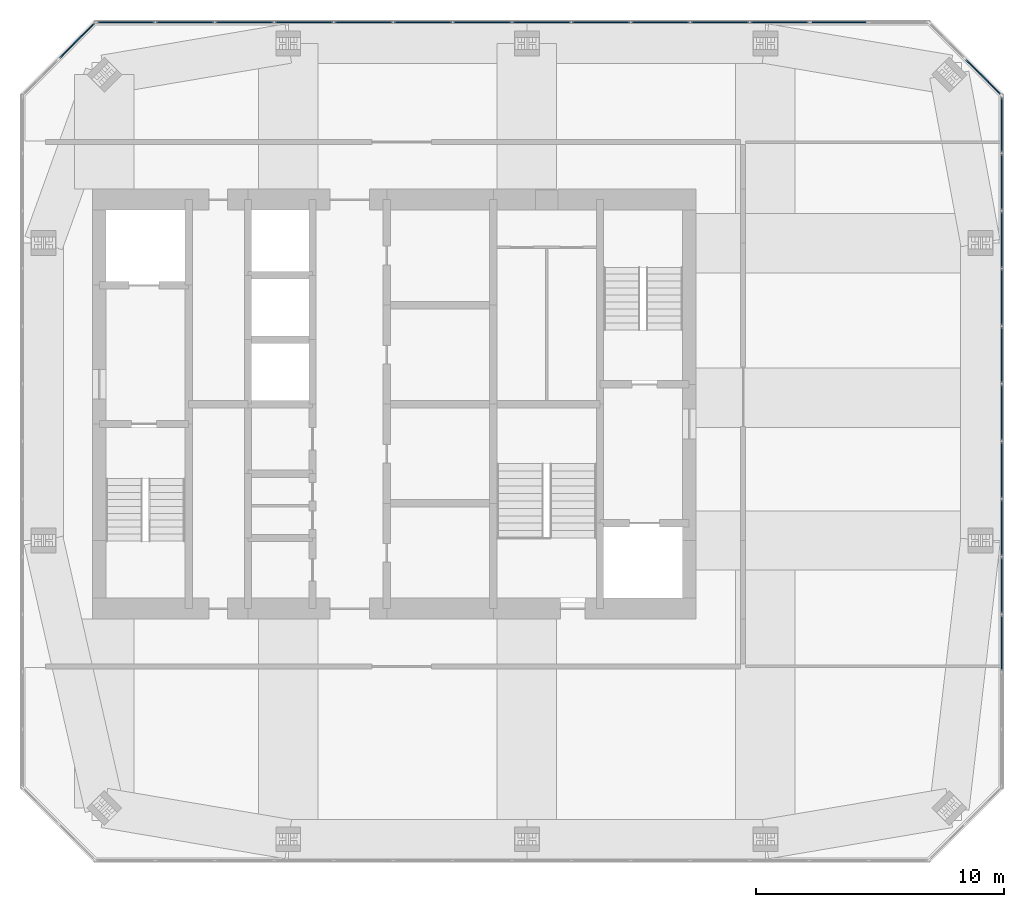
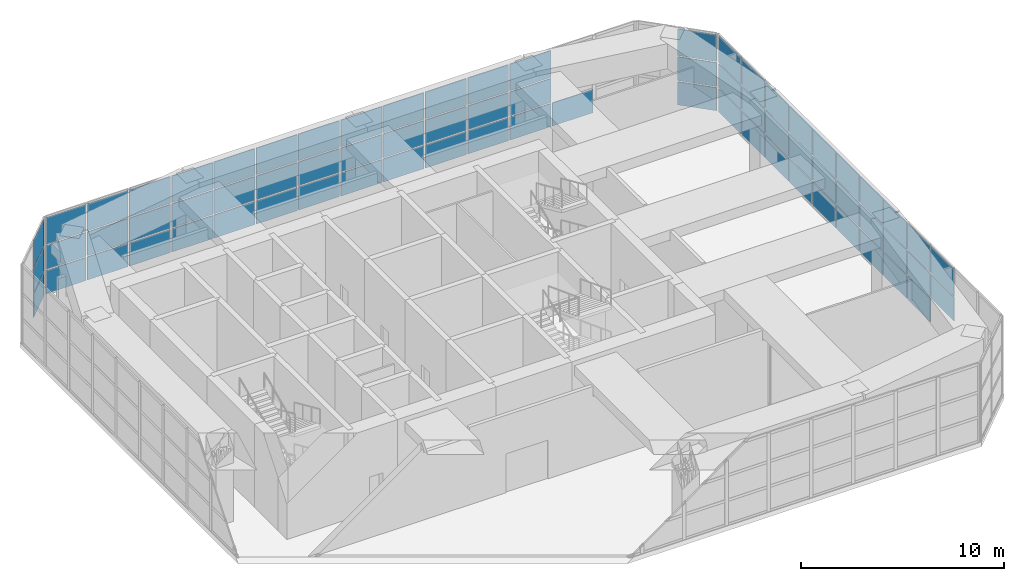
# One storey, part 10 of 14: 72 plates, 4 elements without a shape of their own.
"""IFC4 building model written with IfcOpenShell, lengths in metres."""

import ifcopenshell
import ifcopenshell.guid

model = None  # the IFC model being written
_history = None  # IfcOwnerHistory: only IFC2X3 demands one
_inside = {}  # id of a spatial element -> (the spatial element, [elements in it])
_under = {}  # id of a project, library or spatial element -> (it, [spatial elements below it])
_declared = {}  # id of a project -> (the project, [libraries it declares])
_typed = {}  # id of a type object -> (the type object, [elements of that type])
_made_of = {}  # id of a material, layer set ... -> (it, [elements and type objects made of it])


def new_model(schema):
    """Start an empty IFC model of exactly this schema.

    Asked for "IFC4X3", IfcOpenShell would pick the latest addendum, in which some entities
    have other attributes; the version numbers below select the first issue.
    IFC2X3 requires an IfcOwnerHistory on every rooted entity: one is made here for all.
    """
    global model, _history
    if schema == "IFC4X3":
        model = ifcopenshell.file(schema_version=(4, 3, 0, 0))
    else:
        model = ifcopenshell.file(schema=schema)
    _inside.clear()
    _under.clear()
    _declared.clear()
    _typed.clear()
    _made_of.clear()
    _history = None
    if model.schema == "IFC2X3":
        org = make("IfcOrganization", Name="unknown")
        user = make(
            "IfcPersonAndOrganization",
            ThePerson=make("IfcPerson", FamilyName="unknown"),
            TheOrganization=org,
        )
        app = make(
            "IfcApplication",
            ApplicationDeveloper=org,
            Version="unknown",
            ApplicationFullName="unknown",
            ApplicationIdentifier="unknown",
        )
        _history = make(
            "IfcOwnerHistory",
            OwningUser=user,
            OwningApplication=app,
            ChangeAction="ADDED",
            CreationDate=0,
        )
    return model


def make(cls, **values):
    """One entity of the class cls with the attributes given. An attribute that is None is left unset."""
    return model.create_entity(
        cls, **{name: value for name, value in values.items() if value is not None}
    )


def rooted(cls, **values):
    """An entity with a GlobalId (a new one), such as an element, a storey or a relation."""
    return make(cls, GlobalId=ifcopenshell.guid.new(), OwnerHistory=_history, **values)


def si_unit(unit_type, name, prefix=None):
    """IfcSIUnit, for example si_unit("LENGTHUNIT", "METRE", prefix="MILLI")."""
    return make("IfcSIUnit", UnitType=unit_type, Prefix=prefix, Name=name)


def assignment(units):
    """IfcUnitAssignment: the units of a project."""
    return None if units is None else make("IfcUnitAssignment", Units=units)


def point(xyz):
    """IfcCartesianPoint."""
    return None if xyz is None else make("IfcCartesianPoint", Coordinates=xyz)


def direction(xyz):
    """IfcDirection."""
    return None if xyz is None else make("IfcDirection", DirectionRatios=xyz)


def frame(location, z_axis=None, x_axis=None):
    """IfcAxis2Placement3D, a coordinate frame: its origin and axes. An axis left out is left unset."""
    return make(
        "IfcAxis2Placement3D",
        Location=point(location),
        Axis=direction(z_axis),
        RefDirection=direction(x_axis),
    )


def frame_2d(location, x_axis=None):
    """IfcAxis2Placement2D, a coordinate frame in the plane: its origin and x axis."""
    return make(
        "IfcAxis2Placement2D", Location=point(location), RefDirection=direction(x_axis)
    )


def origin():
    """The frame at (0, 0, 0) with its axes left unset."""
    return frame((0.0, 0.0, 0.0))


def origin_2d():
    """The frame at (0, 0) in the plane with its x axis left unset."""
    return frame_2d((0.0, 0.0))


def place(relative_to, where):
    """IfcLocalPlacement: puts the frame where relative to a parent placement (None: the world)."""
    return make(
        "IfcLocalPlacement", PlacementRelTo=relative_to, RelativePlacement=where
    )


def context(
    kind, dimensions, precision=None, world=None, true_north=None, identifier=None
):
    """IfcGeometricRepresentationContext, for example the 3D "Model" context."""
    return make(
        "IfcGeometricRepresentationContext",
        ContextIdentifier=identifier,
        ContextType=kind,
        CoordinateSpaceDimension=dimensions,
        Precision=precision,
        WorldCoordinateSystem=world,
        TrueNorth=true_north,
    )


def subcontext(parent, identifier, kind, view, scale=None):
    """IfcGeometricRepresentationSubContext, for example "Body" below "Model"."""
    return make(
        "IfcGeometricRepresentationSubContext",
        ContextIdentifier=identifier,
        ContextType=kind,
        ParentContext=parent,
        TargetScale=scale,
        TargetView=view,
    )


def project(units=None, contexts=None):
    """IfcProject with its units and contexts."""
    return rooted(
        "IfcProject",
        Name="project",
        RepresentationContexts=contexts,
        UnitsInContext=assignment(units),
    )


def spatial(cls, under=None, at=None, **own):
    """A site, building, storey or space (cls), placed at a placement, below another one or the project."""
    s = rooted(cls, ObjectPlacement=at, **own)
    if under is not None:
        _under.setdefault(under.id(), (under, []))[1].append(s)
    return s


def profile(cls, at=None, kind="AREA", **sizes):
    """A parametric profile (cls). Its sizes go by their IFC names, for example OverallWidth=200.0."""
    return make(cls, ProfileType=kind, Position=at, **sizes)


def rectangle(**sizes):
    """IfcRectangleProfileDef."""
    return profile("IfcRectangleProfileDef", **sizes)


def extrude(swept, where, along, depth):
    """IfcExtrudedAreaSolid: the profile swept, set in the frame where, extruded along a direction by depth."""
    return make(
        "IfcExtrudedAreaSolid",
        SweptArea=swept,
        Position=where,
        ExtrudedDirection=direction(along),
        Depth=depth,
    )


def shape(context_of_items, identifier, shape_type, items):
    """IfcShapeRepresentation: the items that make up one representation, for example the "Body"."""
    return make(
        "IfcShapeRepresentation",
        ContextOfItems=context_of_items,
        RepresentationIdentifier=identifier,
        RepresentationType=shape_type,
        Items=items,
    )


def material(Name=None, Category=None):
    """IfcMaterial."""
    return make("IfcMaterial", Name=Name, Category=Category)


def layer(
    of_material, thickness, ventilated=None, Name=None, Category=None, Priority=None
):
    """IfcMaterialLayer: one layer of a wall or slab, of a material (None: an air gap)."""
    return make(
        "IfcMaterialLayer",
        Material=of_material,
        LayerThickness=thickness,
        IsVentilated=ventilated,
        Name=Name,
        Category=Category,
        Priority=Priority,
    )


def layer_set(layers, Name=None):
    """IfcMaterialLayerSet."""
    return make("IfcMaterialLayerSet", MaterialLayers=layers, LayerSetName=Name)


def made_of(thing, what):
    """Note that an element or type object is made of a material, layer set ...; save() writes the relation."""
    if what is not None:
        _made_of.setdefault(what.id(), (what, []))[1].append(thing)
    return thing


def type_object(cls, material=None, **own):
    """A type object (cls), such as IfcWallType, which elements share."""
    return made_of(rooted(cls, **own), material)


def element(
    cls,
    number,
    at=None,
    inside=None,
    cuts=None,
    type_object=None,
    material=None,
    context=None,
    identifier="Body",
    shape_type=None,
    held_by="IfcProductDefinitionShape",
    body=None,
    shapes=None,
    **own,
):
    """One element of the class cls, such as IfcWall. Its Tag is "e" and its number.

    at: its placement. inside: the storey or other place that contains it. cuts: it is an
    opening in that element (IfcRelVoidsElement). A single representation is given by context,
    identifier, shape_type and body (its items); several are given by shapes. held_by: the class
    of the entity that holds the representations. save() writes the other relations.
    """
    e = rooted(cls, Tag="e%d" % number, ObjectPlacement=at, **own)
    if body is not None:
        shapes = [shape(context, identifier, shape_type, body)]
    if shapes is not None:
        e.Representation = make(held_by, Representations=shapes)
    if inside is not None:
        _inside.setdefault(inside.id(), (inside, []))[1].append(e)
    if cuts is not None:
        rooted(
            "IfcRelVoidsElement", RelatingBuildingElement=cuts, RelatedOpeningElement=e
        )
    if type_object is not None:
        _typed.setdefault(type_object.id(), (type_object, []))[1].append(e)
    return made_of(e, material)


def aggregate(whole, parts):
    """IfcRelAggregates: a whole, such as a stair, and the parts it consists of."""
    return rooted("IfcRelAggregates", RelatingObject=whole, RelatedObjects=parts)


def save(model, path):
    """Write the relations noted so far, then the file.

    IfcRelAggregates (storeys below a building ...), IfcRelContainedInSpatialStructure (elements
    in a storey), IfcRelDefinesByType, IfcRelAssociatesMaterial and IfcRelDeclares: one each for
    every whole, place, type object, material and project.
    """
    for whole, parts in _under.values():
        aggregate(whole, parts)
    for where, things in _inside.values():
        rooted(
            "IfcRelContainedInSpatialStructure",
            RelatedElements=things,
            RelatingStructure=where,
        )
    for kind, things in _typed.values():
        rooted("IfcRelDefinesByType", RelatedObjects=things, RelatingType=kind)
    for what, things in _made_of.values():
        rooted("IfcRelAssociatesMaterial", RelatedObjects=things, RelatingMaterial=what)
    for by, libraries in _declared.values():
        rooted("IfcRelDeclares", RelatingContext=by, RelatedDefinitions=libraries)
    model.write(path)


model = new_model("IFC4")

# Units and contexts
model_context = context("Model", 3, precision=1e-05, world=origin(), true_north=direction((0.0, 1.0)))
body_context = subcontext(model_context, "Body", "Model", "MODEL_VIEW")
ifc_project = project(units=[si_unit("LENGTHUNIT", "METRE"), si_unit("AREAUNIT", "SQUARE_METRE"), si_unit("VOLUMEUNIT", "CUBIC_METRE"), si_unit("PLANEANGLEUNIT", "RADIAN"), si_unit("MASSUNIT", "GRAM", prefix="KILO")], contexts=[model_context])

# Site, building, storey
site_placement = place(None, origin())
site = spatial("IfcSite", under=ifc_project, at=site_placement, CompositionType="ELEMENT")
building_placement = place(site_placement, origin())
building = spatial("IfcBuilding", under=site, at=building_placement, Name="Jalousie Tower", CompositionType="ELEMENT")
storey_placement = place(building_placement, frame((0.0, 0.0, 267.75)))
storey = spatial("IfcBuildingStorey", under=building, at=storey_placement, Name="L73", CompositionType="ELEMENT", Elevation=267.75)

# Curtain wall, plates
ifc_material_1 = material(Name="Aluminium curtain wall", Category="aluminium")
curtain_wall_type = type_object("IfcCurtainWallType", Name="CROWN LOUVRE WALL", PredefinedType="USERDEFINED", material=ifc_material_1)
curtain_wall_1_placement = place(storey_placement, origin())
curtain_wall_1 = element("IfcCurtainWall", 1, at=curtain_wall_1_placement, inside=storey, type_object=curtain_wall_type, Name="Crown Louvre Wall L73 3", ObjectType="CROWN LOUVRE WALL", PredefinedType="USERDEFINED")
ifc_material_2 = material(Name="Aluminium storm louvre panel", Category="aluminium")
ifc_layer = layer(ifc_material_2, 0.050048828125)
ifc_layer_set = layer_set([ifc_layer], Name="Aluminium storm louvre panel")
plate_type = type_object("IfcPlateType", Name="CROWN LOUVRE WALL PANEL", PredefinedType="CURTAIN_PANEL", material=ifc_layer_set)
plate_1_placement = place(storey_placement, frame((56.41259765625, 8.86328125, 1.5400390625), z_axis=(0.0, 0.0, 1.0), x_axis=(0.0, 1.0, 0.0)))
plate_1 = element("IfcPlate", 2, at=plate_1_placement, type_object=plate_type, Name="CW-L panel 3.2", PredefinedType="CURTAIN_PANEL", context=body_context, shape_type="SweptSolid", body=[
    extrude(rectangle(XDim=2.244873046875, YDim=0.050048828125, at=origin_2d()), origin(), (0.0, 0.0, 1.0), 1.419921875),
])
plate_2_placement = place(storey_placement, frame((56.41259765625, 8.86328125, 3.0400390625), z_axis=(0.0, 0.0, 1.0), x_axis=(0.0, 1.0, 0.0)))
plate_2 = element("IfcPlate", 3, at=plate_2_placement, type_object=plate_type, Name="CW-L panel 3.3", PredefinedType="CURTAIN_PANEL", context=body_context, shape_type="SweptSolid", body=[
    extrude(rectangle(XDim=2.244873046875, YDim=0.050048828125, at=origin_2d()), origin(), (0.0, 0.0, 1.0), 1.60009765625),
])
plate_3_placement = place(storey_placement, frame((56.41259765625, 11.18798828125, 0.080078125), z_axis=(0.0, 0.0, 1.0), x_axis=(0.0, 1.0, 0.0)))
plate_3 = element("IfcPlate", 4, at=plate_3_placement, type_object=plate_type, Name="CW-L panel 4.1", PredefinedType="CURTAIN_PANEL", context=body_context, shape_type="SweptSolid", body=[
    extrude(rectangle(XDim=2.244873046875, YDim=0.050048828125, at=origin_2d()), origin(), (0.0, 0.0, 1.0), 1.3798828125),
])
plate_4_placement = place(storey_placement, frame((56.41259765625, 11.18798828125, 1.5400390625), z_axis=(0.0, 0.0, 1.0), x_axis=(0.0, 1.0, 0.0)))
plate_4 = element("IfcPlate", 5, at=plate_4_placement, type_object=plate_type, Name="CW-L panel 4.2", PredefinedType="CURTAIN_PANEL", context=body_context, shape_type="SweptSolid", body=[
    extrude(rectangle(XDim=2.244873046875, YDim=0.050048828125, at=origin_2d()), origin(), (0.0, 0.0, 1.0), 1.419921875),
])
plate_5_placement = place(storey_placement, frame((56.41259765625, 11.18798828125, 3.0400390625), z_axis=(0.0, 0.0, 1.0), x_axis=(0.0, 1.0, 0.0)))
plate_5 = element("IfcPlate", 6, at=plate_5_placement, type_object=plate_type, Name="CW-L panel 4.3", PredefinedType="CURTAIN_PANEL", context=body_context, shape_type="SweptSolid", body=[
    extrude(rectangle(XDim=2.244873046875, YDim=0.050048828125, at=origin_2d()), origin(), (0.0, 0.0, 1.0), 1.60009765625),
])
plate_6_placement = place(storey_placement, frame((56.41259765625, 13.512939453125, 0.080078125), z_axis=(0.0, 0.0, 1.0), x_axis=(0.0, 1.0, 0.0)))
plate_6 = element("IfcPlate", 7, at=plate_6_placement, type_object=plate_type, Name="CW-L panel 5.1", PredefinedType="CURTAIN_PANEL", context=body_context, shape_type="SweptSolid", body=[
    extrude(rectangle(XDim=2.244873046875, YDim=0.050048828125, at=origin_2d()), origin(), (0.0, 0.0, 1.0), 1.3798828125),
])
plate_7_placement = place(storey_placement, frame((56.41259765625, 13.512939453125, 1.5400390625), z_axis=(0.0, 0.0, 1.0), x_axis=(0.0, 1.0, 0.0)))
plate_7 = element("IfcPlate", 8, at=plate_7_placement, type_object=plate_type, Name="CW-L panel 5.2", PredefinedType="CURTAIN_PANEL", context=body_context, shape_type="SweptSolid", body=[
    extrude(rectangle(XDim=2.244873046875, YDim=0.050048828125, at=origin_2d()), origin(), (0.0, 0.0, 1.0), 1.419921875),
])
plate_8_placement = place(storey_placement, frame((56.41259765625, 13.512939453125, 3.0400390625), z_axis=(0.0, 0.0, 1.0), x_axis=(0.0, 1.0, 0.0)))
plate_8 = element("IfcPlate", 9, at=plate_8_placement, type_object=plate_type, Name="CW-L panel 5.3", PredefinedType="CURTAIN_PANEL", context=body_context, shape_type="SweptSolid", body=[
    extrude(rectangle(XDim=2.244873046875, YDim=0.050048828125, at=origin_2d()), origin(), (0.0, 0.0, 1.0), 1.60009765625),
])
plate_9_placement = place(storey_placement, frame((56.41259765625, 15.837646484375, 0.080078125), z_axis=(0.0, 0.0, 1.0), x_axis=(0.0, 1.0, 0.0)))
plate_9 = element("IfcPlate", 10, at=plate_9_placement, type_object=plate_type, Name="CW-L panel 6.1", PredefinedType="CURTAIN_PANEL", context=body_context, shape_type="SweptSolid", body=[
    extrude(rectangle(XDim=2.244873046875, YDim=0.050048828125, at=origin_2d()), origin(), (0.0, 0.0, 1.0), 1.3798828125),
])
plate_10_placement = place(storey_placement, frame((56.41259765625, 15.837646484375, 1.5400390625), z_axis=(0.0, 0.0, 1.0), x_axis=(0.0, 1.0, 0.0)))
plate_10 = element("IfcPlate", 11, at=plate_10_placement, type_object=plate_type, Name="CW-L panel 6.2", PredefinedType="CURTAIN_PANEL", context=body_context, shape_type="SweptSolid", body=[
    extrude(rectangle(XDim=2.244873046875, YDim=0.050048828125, at=origin_2d()), origin(), (0.0, 0.0, 1.0), 1.419921875),
])
plate_11_placement = place(storey_placement, frame((56.41259765625, 15.837646484375, 3.0400390625), z_axis=(0.0, 0.0, 1.0), x_axis=(0.0, 1.0, 0.0)))
plate_11 = element("IfcPlate", 12, at=plate_11_placement, type_object=plate_type, Name="CW-L panel 6.3", PredefinedType="CURTAIN_PANEL", context=body_context, shape_type="SweptSolid", body=[
    extrude(rectangle(XDim=2.244873046875, YDim=0.050048828125, at=origin_2d()), origin(), (0.0, 0.0, 1.0), 1.60009765625),
])
plate_12_placement = place(storey_placement, frame((56.41259765625, 18.162353515625, 0.080078125), z_axis=(0.0, 0.0, 1.0), x_axis=(0.0, 1.0, 0.0)))
plate_12 = element("IfcPlate", 13, at=plate_12_placement, type_object=plate_type, Name="CW-L panel 7.1", PredefinedType="CURTAIN_PANEL", context=body_context, shape_type="SweptSolid", body=[
    extrude(rectangle(XDim=2.244873046875, YDim=0.050048828125, at=origin_2d()), origin(), (0.0, 0.0, 1.0), 1.3798828125),
])
plate_13_placement = place(storey_placement, frame((56.41259765625, 18.162353515625, 1.5400390625), z_axis=(0.0, 0.0, 1.0), x_axis=(0.0, 1.0, 0.0)))
plate_13 = element("IfcPlate", 14, at=plate_13_placement, type_object=plate_type, Name="CW-L panel 7.2", PredefinedType="CURTAIN_PANEL", context=body_context, shape_type="SweptSolid", body=[
    extrude(rectangle(XDim=2.244873046875, YDim=0.050048828125, at=origin_2d()), origin(), (0.0, 0.0, 1.0), 1.419921875),
])
plate_14_placement = place(storey_placement, frame((56.41259765625, 18.162353515625, 3.0400390625), z_axis=(0.0, 0.0, 1.0), x_axis=(0.0, 1.0, 0.0)))
plate_14 = element("IfcPlate", 15, at=plate_14_placement, type_object=plate_type, Name="CW-L panel 7.3", PredefinedType="CURTAIN_PANEL", context=body_context, shape_type="SweptSolid", body=[
    extrude(rectangle(XDim=2.244873046875, YDim=0.050048828125, at=origin_2d()), origin(), (0.0, 0.0, 1.0), 1.60009765625),
])
plate_15_placement = place(storey_placement, frame((56.41259765625, 20.487060546875, 0.080078125), z_axis=(0.0, 0.0, 1.0), x_axis=(0.0, 1.0, 0.0)))
plate_15 = element("IfcPlate", 16, at=plate_15_placement, type_object=plate_type, Name="CW-L panel 8.1", PredefinedType="CURTAIN_PANEL", context=body_context, shape_type="SweptSolid", body=[
    extrude(rectangle(XDim=2.244873046875, YDim=0.050048828125, at=origin_2d()), origin(), (0.0, 0.0, 1.0), 1.3798828125),
])
plate_16_placement = place(storey_placement, frame((56.41259765625, 20.487060546875, 1.5400390625), z_axis=(0.0, 0.0, 1.0), x_axis=(0.0, 1.0, 0.0)))
plate_16 = element("IfcPlate", 17, at=plate_16_placement, type_object=plate_type, Name="CW-L panel 8.2", PredefinedType="CURTAIN_PANEL", context=body_context, shape_type="SweptSolid", body=[
    extrude(rectangle(XDim=2.244873046875, YDim=0.050048828125, at=origin_2d()), origin(), (0.0, 0.0, 1.0), 1.419921875),
])
plate_17_placement = place(storey_placement, frame((56.41259765625, 20.487060546875, 3.0400390625), z_axis=(0.0, 0.0, 1.0), x_axis=(0.0, 1.0, 0.0)))
plate_17 = element("IfcPlate", 18, at=plate_17_placement, type_object=plate_type, Name="CW-L panel 8.3", PredefinedType="CURTAIN_PANEL", context=body_context, shape_type="SweptSolid", body=[
    extrude(rectangle(XDim=2.244873046875, YDim=0.050048828125, at=origin_2d()), origin(), (0.0, 0.0, 1.0), 1.60009765625),
])
plate_18_placement = place(storey_placement, frame((56.41259765625, 22.81201171875, 0.080078125), z_axis=(0.0, 0.0, 1.0), x_axis=(0.0, 1.0, 0.0)))
plate_18 = element("IfcPlate", 19, at=plate_18_placement, type_object=plate_type, Name="CW-L panel 9.1", PredefinedType="CURTAIN_PANEL", context=body_context, shape_type="SweptSolid", body=[
    extrude(rectangle(XDim=2.244873046875, YDim=0.050048828125, at=origin_2d()), origin(), (0.0, 0.0, 1.0), 1.3798828125),
])
plate_19_placement = place(storey_placement, frame((56.41259765625, 22.81201171875, 1.5400390625), z_axis=(0.0, 0.0, 1.0), x_axis=(0.0, 1.0, 0.0)))
plate_19 = element("IfcPlate", 20, at=plate_19_placement, type_object=plate_type, Name="CW-L panel 9.2", PredefinedType="CURTAIN_PANEL", context=body_context, shape_type="SweptSolid", body=[
    extrude(rectangle(XDim=2.244873046875, YDim=0.050048828125, at=origin_2d()), origin(), (0.0, 0.0, 1.0), 1.419921875),
])
plate_20_placement = place(storey_placement, frame((56.41259765625, 22.81201171875, 3.0400390625), z_axis=(0.0, 0.0, 1.0), x_axis=(0.0, 1.0, 0.0)))
plate_20 = element("IfcPlate", 21, at=plate_20_placement, type_object=plate_type, Name="CW-L panel 9.3", PredefinedType="CURTAIN_PANEL", context=body_context, shape_type="SweptSolid", body=[
    extrude(rectangle(XDim=2.244873046875, YDim=0.050048828125, at=origin_2d()), origin(), (0.0, 0.0, 1.0), 1.60009765625),
])
plate_21_placement = place(storey_placement, frame((56.41259765625, 25.13671875, 0.080078125), z_axis=(0.0, 0.0, 1.0), x_axis=(0.0, 1.0, 0.0)))
plate_21 = element("IfcPlate", 22, at=plate_21_placement, type_object=plate_type, Name="CW-L panel 10.1", PredefinedType="CURTAIN_PANEL", context=body_context, shape_type="SweptSolid", body=[
    extrude(rectangle(XDim=2.244873046875, YDim=0.050048828125, at=origin_2d()), origin(), (0.0, 0.0, 1.0), 1.3798828125),
])
plate_22_placement = place(storey_placement, frame((56.41259765625, 25.13671875, 1.5400390625), z_axis=(0.0, 0.0, 1.0), x_axis=(0.0, 1.0, 0.0)))
plate_22 = element("IfcPlate", 23, at=plate_22_placement, type_object=plate_type, Name="CW-L panel 10.2", PredefinedType="CURTAIN_PANEL", context=body_context, shape_type="SweptSolid", body=[
    extrude(rectangle(XDim=2.244873046875, YDim=0.050048828125, at=origin_2d()), origin(), (0.0, 0.0, 1.0), 1.419921875),
])
plate_23_placement = place(storey_placement, frame((56.41259765625, 25.13671875, 3.0400390625), z_axis=(0.0, 0.0, 1.0), x_axis=(0.0, 1.0, 0.0)))
plate_23 = element("IfcPlate", 24, at=plate_23_placement, type_object=plate_type, Name="CW-L panel 10.3", PredefinedType="CURTAIN_PANEL", context=body_context, shape_type="SweptSolid", body=[
    extrude(rectangle(XDim=2.244873046875, YDim=0.050048828125, at=origin_2d()), origin(), (0.0, 0.0, 1.0), 1.60009765625),
])
plate_24_placement = place(storey_placement, frame((56.41259765625, 27.46142578125, 0.080078125), z_axis=(0.0, 0.0, 1.0), x_axis=(0.0, 1.0, 0.0)))
plate_24 = element("IfcPlate", 25, at=plate_24_placement, type_object=plate_type, Name="CW-L panel 11.1", PredefinedType="CURTAIN_PANEL", context=body_context, shape_type="SweptSolid", body=[
    extrude(rectangle(XDim=2.244873046875, YDim=0.050048828125, at=origin_2d()), origin(), (0.0, 0.0, 1.0), 1.3798828125),
])
plate_25_placement = place(storey_placement, frame((56.41259765625, 27.46142578125, 1.5400390625), z_axis=(0.0, 0.0, 1.0), x_axis=(0.0, 1.0, 0.0)))
plate_25 = element("IfcPlate", 26, at=plate_25_placement, type_object=plate_type, Name="CW-L panel 11.2", PredefinedType="CURTAIN_PANEL", context=body_context, shape_type="SweptSolid", body=[
    extrude(rectangle(XDim=2.244873046875, YDim=0.050048828125, at=origin_2d()), origin(), (0.0, 0.0, 1.0), 1.419921875),
])
plate_26_placement = place(storey_placement, frame((56.41259765625, 27.46142578125, 3.0400390625), z_axis=(0.0, 0.0, 1.0), x_axis=(0.0, 1.0, 0.0)))
plate_26 = element("IfcPlate", 27, at=plate_26_placement, type_object=plate_type, Name="CW-L panel 11.3", PredefinedType="CURTAIN_PANEL", context=body_context, shape_type="SweptSolid", body=[
    extrude(rectangle(XDim=2.244873046875, YDim=0.050048828125, at=origin_2d()), origin(), (0.0, 0.0, 1.0), 1.60009765625),
])
plate_27_placement = place(storey_placement, frame((56.41259765625, 29.766357421875, 0.080078125), z_axis=(0.0, 0.0, 1.0), x_axis=(0.0, 1.0, 0.0)))
plate_27 = element("IfcPlate", 28, at=plate_27_placement, type_object=plate_type, Name="CW-L panel 12.1", PredefinedType="CURTAIN_PANEL", context=body_context, shape_type="SweptSolid", body=[
    extrude(rectangle(XDim=2.204833984375, YDim=0.050048828125, at=origin_2d()), origin(), (0.0, 0.0, 1.0), 1.3798828125),
])
plate_28_placement = place(storey_placement, frame((56.41259765625, 29.766357421875, 1.5400390625), z_axis=(0.0, 0.0, 1.0), x_axis=(0.0, 1.0, 0.0)))
plate_28 = element("IfcPlate", 29, at=plate_28_placement, type_object=plate_type, Name="CW-L panel 12.2", PredefinedType="CURTAIN_PANEL", context=body_context, shape_type="SweptSolid", body=[
    extrude(rectangle(XDim=2.204833984375, YDim=0.050048828125, at=origin_2d()), origin(), (0.0, 0.0, 1.0), 1.419921875),
])
plate_29_placement = place(storey_placement, frame((56.41259765625, 29.766357421875, 3.0400390625), z_axis=(0.0, 0.0, 1.0), x_axis=(0.0, 1.0, 0.0)))
plate_29 = element("IfcPlate", 30, at=plate_29_placement, type_object=plate_type, Name="CW-L panel 12.3", PredefinedType="CURTAIN_PANEL", context=body_context, shape_type="SweptSolid", body=[
    extrude(rectangle(XDim=2.204833984375, YDim=0.050048828125, at=origin_2d()), origin(), (0.0, 0.0, 1.0), 1.60009765625),
])
aggregate(curtain_wall_1, [plate_1, plate_2, plate_3, plate_4, plate_5, plate_6, plate_7, plate_8, plate_9, plate_10, plate_11, plate_12, plate_13, plate_14, plate_15, plate_16, plate_17, plate_18, plate_19, plate_20, plate_21, plate_22, plate_23, plate_24, plate_25, plate_26, plate_27, plate_28, plate_29])

curtain_wall_2_placement = place(storey_placement, origin())
curtain_wall_2 = element("IfcCurtainWall", 31, at=curtain_wall_2_placement, inside=storey, type_object=curtain_wall_type, Name="Crown Louvre Wall L73 4", ObjectType="CROWN LOUVRE WALL", PredefinedType="USERDEFINED")
plate_30_placement = place(storey_placement, frame((55.657470703125, 31.703857421875, 0.080078125), z_axis=(0.0, 0.0, 1.0), x_axis=(-0.707106781187, 0.707106781187, 0.0)))
plate_30 = element("IfcPlate", 32, at=plate_30_placement, type_object=plate_type, Name="CW-L panel 1.1", PredefinedType="CURTAIN_PANEL", context=body_context, shape_type="SweptSolid", body=[
    extrude(rectangle(XDim=1.975830078125, YDim=0.050048828125, at=origin_2d()), origin(), (0.0, 0.0, 1.0), 1.3798828125),
])
plate_31_placement = place(storey_placement, frame((55.657470703125, 31.703857421875, 1.5400390625), z_axis=(0.0, 0.0, 1.0), x_axis=(-0.707106781187, 0.707106781187, 0.0)))
plate_31 = element("IfcPlate", 33, at=plate_31_placement, type_object=plate_type, Name="CW-L panel 1.2", PredefinedType="CURTAIN_PANEL", context=body_context, shape_type="SweptSolid", body=[
    extrude(rectangle(XDim=1.975830078125, YDim=0.050048828125, at=origin_2d()), origin(), (0.0, 0.0, 1.0), 1.419921875),
])
plate_32_placement = place(storey_placement, frame((55.657470703125, 31.703857421875, 3.0400390625), z_axis=(0.0, 0.0, 1.0), x_axis=(-0.707106781187, 0.707106781187, 0.0)))
plate_32 = element("IfcPlate", 34, at=plate_32_placement, type_object=plate_type, Name="CW-L panel 1.3", PredefinedType="CURTAIN_PANEL", context=body_context, shape_type="SweptSolid", body=[
    extrude(rectangle(XDim=1.975830078125, YDim=0.050048828125, at=origin_2d()), origin(), (0.0, 0.0, 1.0), 1.60009765625),
])
aggregate(curtain_wall_2, [plate_30, plate_31, plate_32])

curtain_wall_3_placement = place(storey_placement, origin())
curtain_wall_3 = element("IfcCurtainWall", 35, at=curtain_wall_3_placement, inside=storey, type_object=curtain_wall_type, Name="Crown Louvre Wall L73 5", ObjectType="CROWN LOUVRE WALL", PredefinedType="USERDEFINED")
plate_33_placement = place(storey_placement, frame((49.848876953125, 33.91259765625, 0.080078125), z_axis=(0.0, 0.0, 1.0), x_axis=(-1.0, 0.0, 0.0)))
plate_33 = element("IfcPlate", 36, at=plate_33_placement, type_object=plate_type, Name="CW-L panel 2.1", PredefinedType="CURTAIN_PANEL", context=body_context, shape_type="SweptSolid", body=[
    extrude(rectangle(XDim=2.31982421875, YDim=0.050048828125, at=origin_2d()), origin(), (0.0, 0.0, 1.0), 1.3798828125),
])
plate_34_placement = place(storey_placement, frame((47.44921875, 33.91259765625, 0.080078125), z_axis=(0.0, 0.0, 1.0), x_axis=(-1.0, 0.0, 0.0)))
plate_34 = element("IfcPlate", 37, at=plate_34_placement, type_object=plate_type, Name="CW-L panel 3.1", PredefinedType="CURTAIN_PANEL", context=body_context, shape_type="SweptSolid", body=[
    extrude(rectangle(XDim=2.31982421875, YDim=0.050048828125, at=origin_2d()), origin(), (0.0, 0.0, 1.0), 1.3798828125),
])
plate_35_placement = place(storey_placement, frame((47.44921875, 33.91259765625, 1.5400390625), z_axis=(0.0, 0.0, 1.0), x_axis=(-1.0, 0.0, 0.0)))
plate_35 = element("IfcPlate", 38, at=plate_35_placement, type_object=plate_type, Name="CW-L panel 3.2", PredefinedType="CURTAIN_PANEL", context=body_context, shape_type="SweptSolid", body=[
    extrude(rectangle(XDim=2.31982421875, YDim=0.050048828125, at=origin_2d()), origin(), (0.0, 0.0, 1.0), 1.419921875),
])
plate_36_placement = place(storey_placement, frame((47.44921875, 33.91259765625, 3.0400390625), z_axis=(0.0, 0.0, 1.0), x_axis=(-1.0, 0.0, 0.0)))
plate_36 = element("IfcPlate", 39, at=plate_36_placement, type_object=plate_type, Name="CW-L panel 3.3", PredefinedType="CURTAIN_PANEL", context=body_context, shape_type="SweptSolid", body=[
    extrude(rectangle(XDim=2.31982421875, YDim=0.050048828125, at=origin_2d()), origin(), (0.0, 0.0, 1.0), 1.60009765625),
])
plate_37_placement = place(storey_placement, frame((45.04931640625, 33.91259765625, 0.080078125), z_axis=(0.0, 0.0, 1.0), x_axis=(-1.0, 0.0, 0.0)))
plate_37 = element("IfcPlate", 40, at=plate_37_placement, type_object=plate_type, Name="CW-L panel 4.1", PredefinedType="CURTAIN_PANEL", context=body_context, shape_type="SweptSolid", body=[
    extrude(rectangle(XDim=2.31982421875, YDim=0.050048828125, at=origin_2d()), origin(), (0.0, 0.0, 1.0), 1.3798828125),
])
plate_38_placement = place(storey_placement, frame((45.04931640625, 33.91259765625, 1.5400390625), z_axis=(0.0, 0.0, 1.0), x_axis=(-1.0, 0.0, 0.0)))
plate_38 = element("IfcPlate", 41, at=plate_38_placement, type_object=plate_type, Name="CW-L panel 4.2", PredefinedType="CURTAIN_PANEL", context=body_context, shape_type="SweptSolid", body=[
    extrude(rectangle(XDim=2.31982421875, YDim=0.050048828125, at=origin_2d()), origin(), (0.0, 0.0, 1.0), 1.419921875),
])
plate_39_placement = place(storey_placement, frame((45.04931640625, 33.91259765625, 3.0400390625), z_axis=(0.0, 0.0, 1.0), x_axis=(-1.0, 0.0, 0.0)))
plate_39 = element("IfcPlate", 42, at=plate_39_placement, type_object=plate_type, Name="CW-L panel 4.3", PredefinedType="CURTAIN_PANEL", context=body_context, shape_type="SweptSolid", body=[
    extrude(rectangle(XDim=2.31982421875, YDim=0.050048828125, at=origin_2d()), origin(), (0.0, 0.0, 1.0), 1.60009765625),
])
plate_40_placement = place(storey_placement, frame((42.6494140625, 33.91259765625, 0.080078125), z_axis=(0.0, 0.0, 1.0), x_axis=(-1.0, 0.0, 0.0)))
plate_40 = element("IfcPlate", 43, at=plate_40_placement, type_object=plate_type, Name="CW-L panel 5.1", PredefinedType="CURTAIN_PANEL", context=body_context, shape_type="SweptSolid", body=[
    extrude(rectangle(XDim=2.31982421875, YDim=0.050048828125, at=origin_2d()), origin(), (0.0, 0.0, 1.0), 1.3798828125),
])
plate_41_placement = place(storey_placement, frame((42.6494140625, 33.91259765625, 1.5400390625), z_axis=(0.0, 0.0, 1.0), x_axis=(-1.0, 0.0, 0.0)))
plate_41 = element("IfcPlate", 44, at=plate_41_placement, type_object=plate_type, Name="CW-L panel 5.2", PredefinedType="CURTAIN_PANEL", context=body_context, shape_type="SweptSolid", body=[
    extrude(rectangle(XDim=2.31982421875, YDim=0.050048828125, at=origin_2d()), origin(), (0.0, 0.0, 1.0), 1.419921875),
])
plate_42_placement = place(storey_placement, frame((42.6494140625, 33.91259765625, 3.0400390625), z_axis=(0.0, 0.0, 1.0), x_axis=(-1.0, 0.0, 0.0)))
plate_42 = element("IfcPlate", 45, at=plate_42_placement, type_object=plate_type, Name="CW-L panel 5.3", PredefinedType="CURTAIN_PANEL", context=body_context, shape_type="SweptSolid", body=[
    extrude(rectangle(XDim=2.31982421875, YDim=0.050048828125, at=origin_2d()), origin(), (0.0, 0.0, 1.0), 1.60009765625),
])
plate_43_placement = place(storey_placement, frame((40.249755859375, 33.91259765625, 0.080078125), z_axis=(0.0, 0.0, 1.0), x_axis=(-1.0, 0.0, 0.0)))
plate_43 = element("IfcPlate", 46, at=plate_43_placement, type_object=plate_type, Name="CW-L panel 6.1", PredefinedType="CURTAIN_PANEL", context=body_context, shape_type="SweptSolid", body=[
    extrude(rectangle(XDim=2.31982421875, YDim=0.050048828125, at=origin_2d()), origin(), (0.0, 0.0, 1.0), 1.3798828125),
])
plate_44_placement = place(storey_placement, frame((40.249755859375, 33.91259765625, 1.5400390625), z_axis=(0.0, 0.0, 1.0), x_axis=(-1.0, 0.0, 0.0)))
plate_44 = element("IfcPlate", 47, at=plate_44_placement, type_object=plate_type, Name="CW-L panel 6.2", PredefinedType="CURTAIN_PANEL", context=body_context, shape_type="SweptSolid", body=[
    extrude(rectangle(XDim=2.31982421875, YDim=0.050048828125, at=origin_2d()), origin(), (0.0, 0.0, 1.0), 1.419921875),
])
plate_45_placement = place(storey_placement, frame((40.249755859375, 33.91259765625, 3.0400390625), z_axis=(0.0, 0.0, 1.0), x_axis=(-1.0, 0.0, 0.0)))
plate_45 = element("IfcPlate", 48, at=plate_45_placement, type_object=plate_type, Name="CW-L panel 6.3", PredefinedType="CURTAIN_PANEL", context=body_context, shape_type="SweptSolid", body=[
    extrude(rectangle(XDim=2.31982421875, YDim=0.050048828125, at=origin_2d()), origin(), (0.0, 0.0, 1.0), 1.60009765625),
])
plate_46_placement = place(storey_placement, frame((37.849853515625, 33.91259765625, 0.080078125), z_axis=(0.0, 0.0, 1.0), x_axis=(-1.0, 0.0, 0.0)))
plate_46 = element("IfcPlate", 49, at=plate_46_placement, type_object=plate_type, Name="CW-L panel 7.1", PredefinedType="CURTAIN_PANEL", context=body_context, shape_type="SweptSolid", body=[
    extrude(rectangle(XDim=2.31982421875, YDim=0.050048828125, at=origin_2d()), origin(), (0.0, 0.0, 1.0), 1.3798828125),
])
plate_47_placement = place(storey_placement, frame((37.849853515625, 33.91259765625, 1.5400390625), z_axis=(0.0, 0.0, 1.0), x_axis=(-1.0, 0.0, 0.0)))
plate_47 = element("IfcPlate", 50, at=plate_47_placement, type_object=plate_type, Name="CW-L panel 7.2", PredefinedType="CURTAIN_PANEL", context=body_context, shape_type="SweptSolid", body=[
    extrude(rectangle(XDim=2.31982421875, YDim=0.050048828125, at=origin_2d()), origin(), (0.0, 0.0, 1.0), 1.419921875),
])
plate_48_placement = place(storey_placement, frame((37.849853515625, 33.91259765625, 3.0400390625), z_axis=(0.0, 0.0, 1.0), x_axis=(-1.0, 0.0, 0.0)))
plate_48 = element("IfcPlate", 51, at=plate_48_placement, type_object=plate_type, Name="CW-L panel 7.3", PredefinedType="CURTAIN_PANEL", context=body_context, shape_type="SweptSolid", body=[
    extrude(rectangle(XDim=2.31982421875, YDim=0.050048828125, at=origin_2d()), origin(), (0.0, 0.0, 1.0), 1.60009765625),
])
plate_49_placement = place(storey_placement, frame((35.4501953125, 33.91259765625, 0.080078125), z_axis=(0.0, 0.0, 1.0), x_axis=(-1.0, 0.0, 0.0)))
plate_49 = element("IfcPlate", 52, at=plate_49_placement, type_object=plate_type, Name="CW-L panel 8.1", PredefinedType="CURTAIN_PANEL", context=body_context, shape_type="SweptSolid", body=[
    extrude(rectangle(XDim=2.31982421875, YDim=0.050048828125, at=origin_2d()), origin(), (0.0, 0.0, 1.0), 1.3798828125),
])
plate_50_placement = place(storey_placement, frame((35.4501953125, 33.91259765625, 1.5400390625), z_axis=(0.0, 0.0, 1.0), x_axis=(-1.0, 0.0, 0.0)))
plate_50 = element("IfcPlate", 53, at=plate_50_placement, type_object=plate_type, Name="CW-L panel 8.2", PredefinedType="CURTAIN_PANEL", context=body_context, shape_type="SweptSolid", body=[
    extrude(rectangle(XDim=2.31982421875, YDim=0.050048828125, at=origin_2d()), origin(), (0.0, 0.0, 1.0), 1.419921875),
])
plate_51_placement = place(storey_placement, frame((35.4501953125, 33.91259765625, 3.0400390625), z_axis=(0.0, 0.0, 1.0), x_axis=(-1.0, 0.0, 0.0)))
plate_51 = element("IfcPlate", 54, at=plate_51_placement, type_object=plate_type, Name="CW-L panel 8.3", PredefinedType="CURTAIN_PANEL", context=body_context, shape_type="SweptSolid", body=[
    extrude(rectangle(XDim=2.31982421875, YDim=0.050048828125, at=origin_2d()), origin(), (0.0, 0.0, 1.0), 1.60009765625),
])
plate_52_placement = place(storey_placement, frame((33.05029296875, 33.91259765625, 0.080078125), z_axis=(0.0, 0.0, 1.0), x_axis=(-1.0, 0.0, 0.0)))
plate_52 = element("IfcPlate", 55, at=plate_52_placement, type_object=plate_type, Name="CW-L panel 9.1", PredefinedType="CURTAIN_PANEL", context=body_context, shape_type="SweptSolid", body=[
    extrude(rectangle(XDim=2.31982421875, YDim=0.050048828125, at=origin_2d()), origin(), (0.0, 0.0, 1.0), 1.3798828125),
])
plate_53_placement = place(storey_placement, frame((33.05029296875, 33.91259765625, 1.5400390625), z_axis=(0.0, 0.0, 1.0), x_axis=(-1.0, 0.0, 0.0)))
plate_53 = element("IfcPlate", 56, at=plate_53_placement, type_object=plate_type, Name="CW-L panel 9.2", PredefinedType="CURTAIN_PANEL", context=body_context, shape_type="SweptSolid", body=[
    extrude(rectangle(XDim=2.31982421875, YDim=0.050048828125, at=origin_2d()), origin(), (0.0, 0.0, 1.0), 1.419921875),
])
plate_54_placement = place(storey_placement, frame((33.05029296875, 33.91259765625, 3.0400390625), z_axis=(0.0, 0.0, 1.0), x_axis=(-1.0, 0.0, 0.0)))
plate_54 = element("IfcPlate", 57, at=plate_54_placement, type_object=plate_type, Name="CW-L panel 9.3", PredefinedType="CURTAIN_PANEL", context=body_context, shape_type="SweptSolid", body=[
    extrude(rectangle(XDim=2.31982421875, YDim=0.050048828125, at=origin_2d()), origin(), (0.0, 0.0, 1.0), 1.60009765625),
])
plate_55_placement = place(storey_placement, frame((30.650390625, 33.91259765625, 0.080078125), z_axis=(0.0, 0.0, 1.0), x_axis=(-1.0, 0.0, 0.0)))
plate_55 = element("IfcPlate", 58, at=plate_55_placement, type_object=plate_type, Name="CW-L panel 10.1", PredefinedType="CURTAIN_PANEL", context=body_context, shape_type="SweptSolid", body=[
    extrude(rectangle(XDim=2.31982421875, YDim=0.050048828125, at=origin_2d()), origin(), (0.0, 0.0, 1.0), 1.3798828125),
])
plate_56_placement = place(storey_placement, frame((30.650390625, 33.91259765625, 1.5400390625), z_axis=(0.0, 0.0, 1.0), x_axis=(-1.0, 0.0, 0.0)))
plate_56 = element("IfcPlate", 59, at=plate_56_placement, type_object=plate_type, Name="CW-L panel 10.2", PredefinedType="CURTAIN_PANEL", context=body_context, shape_type="SweptSolid", body=[
    extrude(rectangle(XDim=2.31982421875, YDim=0.050048828125, at=origin_2d()), origin(), (0.0, 0.0, 1.0), 1.419921875),
])
plate_57_placement = place(storey_placement, frame((30.650390625, 33.91259765625, 3.0400390625), z_axis=(0.0, 0.0, 1.0), x_axis=(-1.0, 0.0, 0.0)))
plate_57 = element("IfcPlate", 60, at=plate_57_placement, type_object=plate_type, Name="CW-L panel 10.3", PredefinedType="CURTAIN_PANEL", context=body_context, shape_type="SweptSolid", body=[
    extrude(rectangle(XDim=2.31982421875, YDim=0.050048828125, at=origin_2d()), origin(), (0.0, 0.0, 1.0), 1.60009765625),
])
plate_58_placement = place(storey_placement, frame((28.250732421875, 33.91259765625, 0.080078125), z_axis=(0.0, 0.0, 1.0), x_axis=(-1.0, 0.0, 0.0)))
plate_58 = element("IfcPlate", 61, at=plate_58_placement, type_object=plate_type, Name="CW-L panel 11.1", PredefinedType="CURTAIN_PANEL", context=body_context, shape_type="SweptSolid", body=[
    extrude(rectangle(XDim=2.31982421875, YDim=0.050048828125, at=origin_2d()), origin(), (0.0, 0.0, 1.0), 1.3798828125),
])
plate_59_placement = place(storey_placement, frame((28.250732421875, 33.91259765625, 1.5400390625), z_axis=(0.0, 0.0, 1.0), x_axis=(-1.0, 0.0, 0.0)))
plate_59 = element("IfcPlate", 62, at=plate_59_placement, type_object=plate_type, Name="CW-L panel 11.2", PredefinedType="CURTAIN_PANEL", context=body_context, shape_type="SweptSolid", body=[
    extrude(rectangle(XDim=2.31982421875, YDim=0.050048828125, at=origin_2d()), origin(), (0.0, 0.0, 1.0), 1.419921875),
])
plate_60_placement = place(storey_placement, frame((28.250732421875, 33.91259765625, 3.0400390625), z_axis=(0.0, 0.0, 1.0), x_axis=(-1.0, 0.0, 0.0)))
plate_60 = element("IfcPlate", 63, at=plate_60_placement, type_object=plate_type, Name="CW-L panel 11.3", PredefinedType="CURTAIN_PANEL", context=body_context, shape_type="SweptSolid", body=[
    extrude(rectangle(XDim=2.31982421875, YDim=0.050048828125, at=origin_2d()), origin(), (0.0, 0.0, 1.0), 1.60009765625),
])
plate_61_placement = place(storey_placement, frame((25.850830078125, 33.91259765625, 0.080078125), z_axis=(0.0, 0.0, 1.0), x_axis=(-1.0, 0.0, 0.0)))
plate_61 = element("IfcPlate", 64, at=plate_61_placement, type_object=plate_type, Name="CW-L panel 12.1", PredefinedType="CURTAIN_PANEL", context=body_context, shape_type="SweptSolid", body=[
    extrude(rectangle(XDim=2.31982421875, YDim=0.050048828125, at=origin_2d()), origin(), (0.0, 0.0, 1.0), 1.3798828125),
])
plate_62_placement = place(storey_placement, frame((25.850830078125, 33.91259765625, 1.5400390625), z_axis=(0.0, 0.0, 1.0), x_axis=(-1.0, 0.0, 0.0)))
plate_62 = element("IfcPlate", 65, at=plate_62_placement, type_object=plate_type, Name="CW-L panel 12.2", PredefinedType="CURTAIN_PANEL", context=body_context, shape_type="SweptSolid", body=[
    extrude(rectangle(XDim=2.31982421875, YDim=0.050048828125, at=origin_2d()), origin(), (0.0, 0.0, 1.0), 1.419921875),
])
plate_63_placement = place(storey_placement, frame((25.850830078125, 33.91259765625, 3.0400390625), z_axis=(0.0, 0.0, 1.0), x_axis=(-1.0, 0.0, 0.0)))
plate_63 = element("IfcPlate", 66, at=plate_63_placement, type_object=plate_type, Name="CW-L panel 12.3", PredefinedType="CURTAIN_PANEL", context=body_context, shape_type="SweptSolid", body=[
    extrude(rectangle(XDim=2.31982421875, YDim=0.050048828125, at=origin_2d()), origin(), (0.0, 0.0, 1.0), 1.60009765625),
])
plate_64_placement = place(storey_placement, frame((23.450927734375, 33.91259765625, 0.080078125), z_axis=(0.0, 0.0, 1.0), x_axis=(-1.0, 0.0, 0.0)))
plate_64 = element("IfcPlate", 67, at=plate_64_placement, type_object=plate_type, Name="CW-L panel 13.1", PredefinedType="CURTAIN_PANEL", context=body_context, shape_type="SweptSolid", body=[
    extrude(rectangle(XDim=2.31982421875, YDim=0.050048828125, at=origin_2d()), origin(), (0.0, 0.0, 1.0), 1.3798828125),
])
plate_65_placement = place(storey_placement, frame((23.450927734375, 33.91259765625, 1.5400390625), z_axis=(0.0, 0.0, 1.0), x_axis=(-1.0, 0.0, 0.0)))
plate_65 = element("IfcPlate", 68, at=plate_65_placement, type_object=plate_type, Name="CW-L panel 13.2", PredefinedType="CURTAIN_PANEL", context=body_context, shape_type="SweptSolid", body=[
    extrude(rectangle(XDim=2.31982421875, YDim=0.050048828125, at=origin_2d()), origin(), (0.0, 0.0, 1.0), 1.419921875),
])
plate_66_placement = place(storey_placement, frame((23.450927734375, 33.91259765625, 3.0400390625), z_axis=(0.0, 0.0, 1.0), x_axis=(-1.0, 0.0, 0.0)))
plate_66 = element("IfcPlate", 69, at=plate_66_placement, type_object=plate_type, Name="CW-L panel 13.3", PredefinedType="CURTAIN_PANEL", context=body_context, shape_type="SweptSolid", body=[
    extrude(rectangle(XDim=2.31982421875, YDim=0.050048828125, at=origin_2d()), origin(), (0.0, 0.0, 1.0), 1.60009765625),
])
plate_67_placement = place(storey_placement, frame((21.0712890625, 33.91259765625, 0.080078125), z_axis=(0.0, 0.0, 1.0), x_axis=(-1.0, 0.0, 0.0)))
plate_67 = element("IfcPlate", 70, at=plate_67_placement, type_object=plate_type, Name="CW-L panel 14.1", PredefinedType="CURTAIN_PANEL", context=body_context, shape_type="SweptSolid", body=[
    extrude(rectangle(XDim=2.27978515625, YDim=0.050048828125, at=origin_2d()), origin(), (0.0, 0.0, 1.0), 1.3798828125),
])
plate_68_placement = place(storey_placement, frame((21.0712890625, 33.91259765625, 1.5400390625), z_axis=(0.0, 0.0, 1.0), x_axis=(-1.0, 0.0, 0.0)))
plate_68 = element("IfcPlate", 71, at=plate_68_placement, type_object=plate_type, Name="CW-L panel 14.2", PredefinedType="CURTAIN_PANEL", context=body_context, shape_type="SweptSolid", body=[
    extrude(rectangle(XDim=2.27978515625, YDim=0.050048828125, at=origin_2d()), origin(), (0.0, 0.0, 1.0), 1.419921875),
])
plate_69_placement = place(storey_placement, frame((21.0712890625, 33.91259765625, 3.0400390625), z_axis=(0.0, 0.0, 1.0), x_axis=(-1.0, 0.0, 0.0)))
plate_69 = element("IfcPlate", 72, at=plate_69_placement, type_object=plate_type, Name="CW-L panel 14.3", PredefinedType="CURTAIN_PANEL", context=body_context, shape_type="SweptSolid", body=[
    extrude(rectangle(XDim=2.27978515625, YDim=0.050048828125, at=origin_2d()), origin(), (0.0, 0.0, 1.0), 1.60009765625),
])
aggregate(curtain_wall_3, [plate_33, plate_34, plate_35, plate_36, plate_37, plate_38, plate_39, plate_40, plate_41, plate_42, plate_43, plate_44, plate_45, plate_46, plate_47, plate_48, plate_49, plate_50, plate_51, plate_52, plate_53, plate_54, plate_55, plate_56, plate_57, plate_58, plate_59, plate_60, plate_61, plate_62, plate_63, plate_64, plate_65, plate_66, plate_67, plate_68, plate_69])

curtain_wall_4_placement = place(storey_placement, origin())
curtain_wall_4 = element("IfcCurtainWall", 73, at=curtain_wall_4_placement, inside=storey, type_object=curtain_wall_type, Name="Crown Louvre Wall L73 6", ObjectType="CROWN LOUVRE WALL", PredefinedType="USERDEFINED")
plate_70_placement = place(storey_placement, frame((19.09619140625, 33.157470703125, 0.080078125), z_axis=(0.0, 0.0, 1.0), x_axis=(-0.707106781187, -0.707106781187, 0.0)))
plate_70 = element("IfcPlate", 74, at=plate_70_placement, type_object=plate_type, Name="CW-L panel 1.1", PredefinedType="CURTAIN_PANEL", context=body_context, shape_type="SweptSolid", body=[
    extrude(rectangle(XDim=1.975830078125, YDim=0.050048828125, at=origin_2d()), origin(), (0.0, 0.0, 1.0), 1.3798828125),
])
plate_71_placement = place(storey_placement, frame((19.09619140625, 33.157470703125, 1.5400390625), z_axis=(0.0, 0.0, 1.0), x_axis=(-0.707106781187, -0.707106781187, 0.0)))
plate_71 = element("IfcPlate", 75, at=plate_71_placement, type_object=plate_type, Name="CW-L panel 1.2", PredefinedType="CURTAIN_PANEL", context=body_context, shape_type="SweptSolid", body=[
    extrude(rectangle(XDim=1.975830078125, YDim=0.050048828125, at=origin_2d()), origin(), (0.0, 0.0, 1.0), 1.419921875),
])
plate_72_placement = place(storey_placement, frame((19.09619140625, 33.157470703125, 3.0400390625), z_axis=(0.0, 0.0, 1.0), x_axis=(-0.707106781187, -0.707106781187, 0.0)))
plate_72 = element("IfcPlate", 76, at=plate_72_placement, type_object=plate_type, Name="CW-L panel 1.3", PredefinedType="CURTAIN_PANEL", context=body_context, shape_type="SweptSolid", body=[
    extrude(rectangle(XDim=1.975830078125, YDim=0.050048828125, at=origin_2d()), origin(), (0.0, 0.0, 1.0), 1.60009765625),
])
aggregate(curtain_wall_4, [plate_70, plate_71, plate_72])

save(model, "model.ifc")
